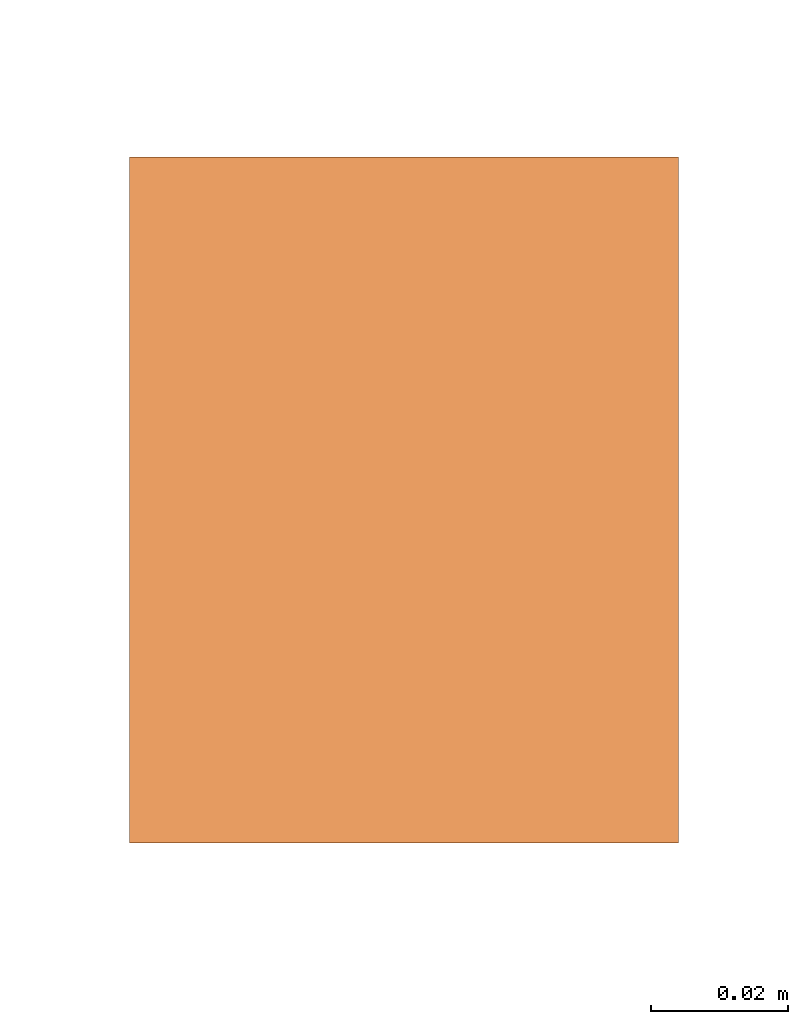
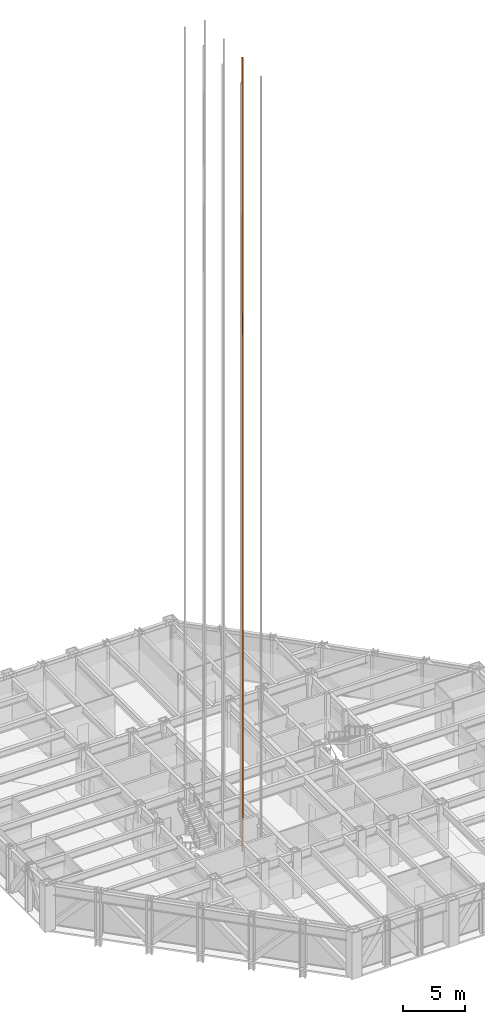
# One storey, part 22 of 26: 1 proxy.
"""IFC4 building model written with IfcOpenShell, lengths in metres."""

from ifc_helpers import new_model, si_unit, direction, frame, origin, origin_2d, place, context, subcontext, project, spatial, rectangle, extrude, material, type_object, element, save


model = new_model("IFC4")

# Units and contexts
model_context = context("Model", 3, precision=1e-05, world=origin(), true_north=direction((0.0, 1.0)))
body_context = subcontext(model_context, "Body", "Model", "MODEL_VIEW")
ifc_project = project(units=[si_unit("LENGTHUNIT", "METRE"), si_unit("AREAUNIT", "SQUARE_METRE"), si_unit("VOLUMEUNIT", "CUBIC_METRE"), si_unit("PLANEANGLEUNIT", "RADIAN"), si_unit("MASSUNIT", "GRAM", prefix="KILO")], contexts=[model_context])

# Site, building, storey
site_placement = place(None, origin())
site = spatial("IfcSite", under=ifc_project, at=site_placement, CompositionType="ELEMENT")
building_placement = place(site_placement, origin())
building = spatial("IfcBuilding", under=site, at=building_placement, Name="Chuquiago Exchange Tower", CompositionType="ELEMENT")
storey_placement = place(building_placement, frame((0.0, 0.0, 102.300048828125)))
storey = spatial("IfcBuildingStorey", under=building, at=storey_placement, Name="L21", CompositionType="ELEMENT", Elevation=102.300048828125)

# Proxy
ifc_material = material(Name="Galvanised steel guide rail", Category="steel")
building_element_proxy_type = type_object("IfcBuildingElementProxyType", Name="LR lift guide rail", PredefinedType="NOTDEFINED", material=ifc_material)
proxy_placement = place(storey_placement, frame((18.93505859375, 19.5, 0.0), z_axis=(0.0, 0.0, 1.0), x_axis=(1.0, 0.0, 0.0)))
element("IfcBuildingElementProxy", 1, at=proxy_placement, inside=storey, type_object=building_element_proxy_type, Name="Lift LB2 guide rail E", PredefinedType="NOTDEFINED", context=body_context, shape_type="SweptSolid", body=[
    extrude(rectangle(XDim=0.080078125, YDim=0.10009765625, at=origin_2d()), origin(), (0.0, 0.0, 1.0), 77.699951171875),
])

save(model, "model.ifc")
